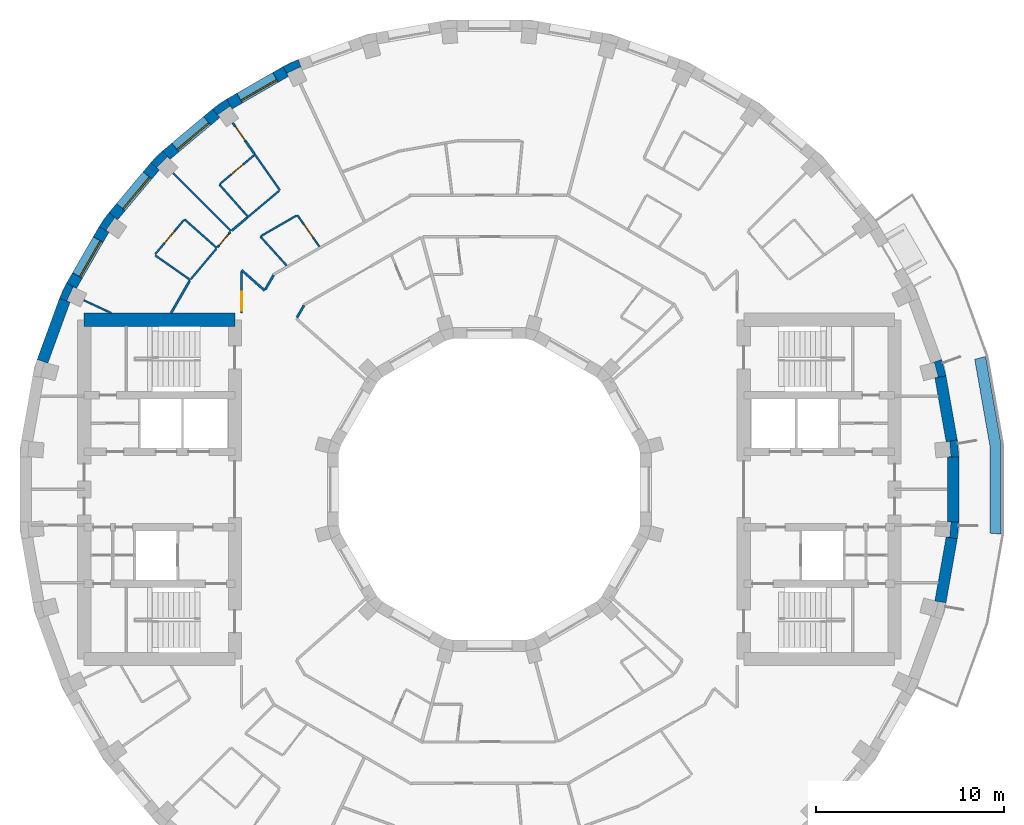
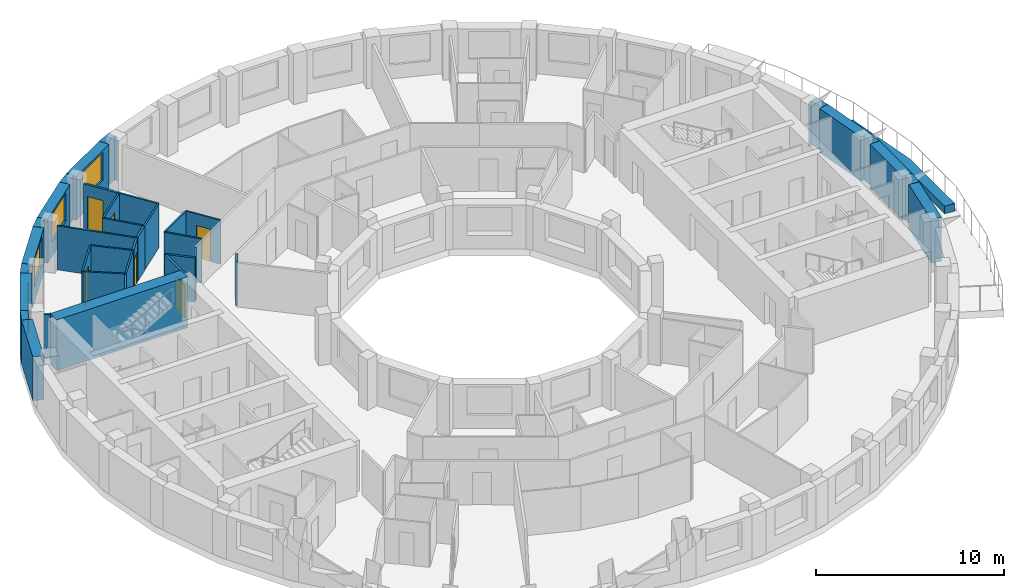
# One storey, part 7 of 11: 39 walls, 6 doors, 4 windows, 10 openings.
"""IFC4 building model written with IfcOpenShell, lengths in metres."""

from ifc_helpers import new_model, si_unit, direction, frame, frame_2d, origin, place, context, subcontext, project, spatial, polyline, rectangle, outline, extrude, material, layer, layer_set, type_object, element, fill, save


model = new_model("IFC4")

# Units and contexts
model_context = context("Model", 3, precision=1e-05, world=origin(), true_north=direction((0.0, 1.0)))
body_context = subcontext(model_context, "Body", "Model", "MODEL_VIEW")
ifc_project = project(units=[si_unit("LENGTHUNIT", "METRE"), si_unit("AREAUNIT", "SQUARE_METRE"), si_unit("VOLUMEUNIT", "CUBIC_METRE"), si_unit("PLANEANGLEUNIT", "RADIAN"), si_unit("MASSUNIT", "GRAM", prefix="KILO")], contexts=[model_context])

# Site, building, storey
site_placement = place(None, origin())
site = spatial("IfcSite", under=ifc_project, at=site_placement, CompositionType="ELEMENT")
building_placement = place(site_placement, origin())
building = spatial("IfcBuilding", under=site, at=building_placement, Name="Saqina Gate Tower", CompositionType="ELEMENT")
storey_placement = place(building_placement, frame((0.0, 0.0, 183.89990234375)))
storey = spatial("IfcBuildingStorey", under=building, at=storey_placement, Name="L52", CompositionType="ELEMENT", Elevation=183.89990234375)

# Walls
ifc_material_1 = material(Name="Brick masonry (buff)", Category="masonry")
wall_type_1 = type_object("IfcWallType", Name="BRICK PIER COPING BUFF", PredefinedType="SOLIDWALL", material=ifc_material_1)
wall_1_placement = place(storey_placement, origin())
element("IfcWall", 1, at=wall_1_placement, inside=storey, type_object=wall_type_1, Name="Pier cap L52 column 1", PredefinedType="SOLIDWALL", context=body_context, shape_type="SweptSolid", body=[
    extrude(outline(polyline([(24.90478515625, 1.724853515625), (24.825927734375, 2.6259765625), (24.235107421875, 2.521728515625), (24.421630859375, 2.5380859375), (24.491455078125, 1.7412109375), (24.304931640625, 1.724853515625), (24.90478515625, 1.724853515625)])), origin(), (0.0, 0.0, 1.0), 2.85009765625),
])
wall_2_placement = place(storey_placement, origin())
element("IfcWall", 2, at=wall_2_placement, inside=storey, type_object=wall_type_1, Name="Pier cap L52 column 2", PredefinedType="SOLIDWALL", context=body_context, shape_type="SweptSolid", body=[
    extrude(outline(polyline([(24.22705078125, 6.0234375), (23.992919921875, 6.897216796875), (23.428955078125, 6.69189453125), (23.610107421875, 6.740478515625), (23.81689453125, 5.967529296875), (23.635986328125, 5.919189453125), (24.22705078125, 6.0234375)])), origin(), (0.0, 0.0, 1.0), 2.85009765625),
])
wall_3_placement = place(storey_placement, origin())
element("IfcWall", 3, at=wall_3_placement, inside=storey, type_object=wall_type_1, Name="Pier cap L52 column 12", PredefinedType="SOLIDWALL", context=body_context, shape_type="SweptSolid", body=[
    extrude(outline(polyline([(-10.958740234375, 22.4306640625), (-10.65869140625, 21.9111328125), (-10.73779296875, 22.080810546875), (-10.0126953125, 22.4189453125), (-9.93359375, 22.249267578125), (-10.138916015625, 22.81298828125), (-10.958740234375, 22.4306640625)])), origin(), (0.0, 0.0, 1.0), 2.85009765625),
])
wall_4_placement = place(storey_placement, origin())
element("IfcWall", 4, at=wall_4_placement, inside=storey, type_object=wall_type_1, Name="Pier cap L52 column 13", PredefinedType="SOLIDWALL", context=body_context, shape_type="SweptSolid", body=[
    extrude(outline(polyline([(-13.9462890625, 20.705810546875), (-14.687255859375, 20.18701171875), (-14.301513671875, 19.727294921875), (-14.408935546875, 19.880859375), (-13.753662109375, 20.339599609375), (-13.646240234375, 20.186279296875), (-13.9462890625, 20.705810546875)])), origin(), (0.0, 0.0, 1.0), 2.85009765625),
])
wall_5_placement = place(storey_placement, origin())
element("IfcWall", 5, at=wall_5_placement, inside=storey, type_object=wall_type_1, Name="Pier cap L52 column 14", PredefinedType="SOLIDWALL", context=body_context, shape_type="SweptSolid", body=[
    extrude(outline(polyline([(-17.969482421875, 17.329833984375), (-17.510009765625, 16.944091796875), (-17.642333984375, 17.07666015625), (-17.07666015625, 17.642333984375), (-16.944091796875, 17.510009765625), (-17.329833984375, 17.969482421875), (-17.969482421875, 17.329833984375)])), origin(), (0.0, 0.0, 1.0), 2.85009765625),
])
wall_6_placement = place(storey_placement, origin())
element("IfcWall", 6, at=wall_6_placement, inside=storey, type_object=wall_type_1, Name="Pier cap L52 column 15", PredefinedType="SOLIDWALL", context=body_context, shape_type="SweptSolid", body=[
    extrude(outline(polyline([(-20.18701171875, 14.687255859375), (-20.705810546875, 13.9462890625), (-20.186279296875, 13.646240234375), (-20.339599609375, 13.753662109375), (-19.880859375, 14.408935546875), (-19.727294921875, 14.301513671875), (-20.18701171875, 14.687255859375)])), origin(), (0.0, 0.0, 1.0), 2.85009765625),
])
wall_7_placement = place(storey_placement, origin())
element("IfcWall", 7, at=wall_7_placement, inside=storey, type_object=wall_type_1, Name="Pier cap L52 column 16", PredefinedType="SOLIDWALL", context=body_context, shape_type="SweptSolid", body=[
    extrude(outline(polyline([(-22.81298828125, 10.138916015625), (-22.249267578125, 9.93359375), (-22.4189453125, 10.0126953125), (-22.080810546875, 10.73779296875), (-21.9111328125, 10.65869140625), (-22.4306640625, 10.958740234375), (-22.81298828125, 10.138916015625)])), origin(), (0.0, 0.0, 1.0), 2.85009765625),
])
wall_8_placement = place(storey_placement, origin())
element("IfcWall", 8, at=wall_8_placement, inside=storey, type_object=wall_type_1, Name="Pier cap L52 column 36", PredefinedType="SOLIDWALL", context=body_context, shape_type="SweptSolid", body=[
    extrude(outline(polyline([(24.825927734375, -2.6259765625), (24.90478515625, -1.724853515625), (24.304931640625, -1.724853515625), (24.491455078125, -1.7412109375), (24.421630859375, -2.5380859375), (24.235107421875, -2.521728515625), (24.825927734375, -2.6259765625)])), origin(), (0.0, 0.0, 1.0), 2.85009765625),
])

# Wall, opening, window
ifc_material_2 = material(Name="Brick masonry (buff)", Category="masonry")
ifc_layer_1 = layer(ifc_material_2, 0.60009765625)
ifc_layer_set_1 = layer_set([ifc_layer_1], Name="FW-BRICK-BUFF")
wall_type_2 = type_object("IfcWallType", Name="FW-BRICK-BUFF", PredefinedType="SOLIDWALL", material=ifc_layer_set_1)
wall_9_placement = place(storey_placement, frame((-10.80859375, 22.1708984375, 0.0), z_axis=(0.0, 0.0, 1.0), x_axis=(-0.86602648383, -0.499998129301, 0.0)))
wall_9 = element("IfcWall", 9, at=wall_9_placement, inside=storey, type_object=wall_type_2, Name="Facade wall L52 facet 12", PredefinedType="SOLIDWALL", context=body_context, shape_type="SweptSolid", body=[
    extrude(rectangle(XDim=3.44970703125, YDim=0.60009765625, at=frame_2d((1.724853515625, 0.0))), origin(), (0.0, 0.0, 1.0), 2.85009765625),
])
opening_1_placement = place(wall_9_placement, frame((0.625, 0.0, 0.89990234375)))
opening_1 = element("IfcOpeningElement", 10, at=opening_1_placement, cuts=wall_9, Name="Opening G15-W09", PredefinedType="OPENING", context=body_context, shape_type="SweptSolid", body=[
    extrude(rectangle(XDim=2.199951171875, YDim=1.800048828125, at=frame_2d((1.10009765625, 0.89990234375))), frame((0.0, 0.31201171875, 0.0), z_axis=(0.0, -1.0, 0.0), x_axis=(1.0, 0.0, 0.0)), (0.0, 0.0, 1.0), 0.6240234375),
])
ifc_material_3 = material(Name="Aluminium glazing", Category="aluminium")
window_type = type_object("IfcWindowType", Name="WN-C", PartitioningType="SINGLE_PANEL", PredefinedType="WINDOW", material=ifc_material_3)
window_1_placement = place(opening_1_placement, origin())
window_1 = element("IfcWindow", 11, at=window_1_placement, inside=storey, type_object=window_type, Name="Window L52 facet 12", OverallHeight=1.800048828125, OverallWidth=2.199951171875, PartitioningType="SINGLE_PANEL", PredefinedType="WINDOW", context=body_context, shape_type="SweptSolid", body=[
    extrude(rectangle(XDim=2.199951171875, YDim=1.800048828125, at=frame_2d((1.10009765625, 0.89990234375))), frame((0.0, 0.179931640625, 0.0), z_axis=(0.0, -1.0, 0.0), x_axis=(1.0, 0.0, 0.0)), (0.0, 0.0, 1.0), 0.06005859375),
])
fill(opening_1, window_1)

wall_10_placement = place(storey_placement, frame((-14.494384765625, 19.95703125, 0.0), z_axis=(0.0, 0.0, 1.0), x_axis=(-0.766058884809, -0.642770398358, 0.0)))
wall_10 = element("IfcWall", 12, at=wall_10_placement, inside=storey, type_object=wall_type_2, Name="Facade wall L52 facet 13", PredefinedType="SOLIDWALL", context=body_context, shape_type="SweptSolid", body=[
    extrude(rectangle(XDim=3.449462890625, YDim=0.60009765625, at=frame_2d((1.724609375, 0.0))), origin(), (0.0, 0.0, 1.0), 2.85009765625),
])
opening_2_placement = place(wall_10_placement, frame((0.625, 0.0, 0.89990234375)))
opening_2 = element("IfcOpeningElement", 13, at=opening_2_placement, cuts=wall_10, Name="Opening G15-W10", PredefinedType="OPENING", context=body_context, shape_type="SweptSolid", body=[
    extrude(rectangle(XDim=2.199951171875, YDim=1.800048828125, at=frame_2d((1.10009765625, 0.89990234375))), frame((0.0, 0.31201171875, 0.0), z_axis=(0.0, -1.0, 0.0), x_axis=(1.0, 0.0, 0.0)), (0.0, 0.0, 1.0), 0.6240234375),
])
window_2_placement = place(opening_2_placement, origin())
window_2 = element("IfcWindow", 14, at=window_2_placement, inside=storey, type_object=window_type, Name="Window L52 facet 13", OverallHeight=1.800048828125, OverallWidth=2.199951171875, PartitioningType="SINGLE_PANEL", PredefinedType="WINDOW", context=body_context, shape_type="SweptSolid", body=[
    extrude(rectangle(XDim=2.199951171875, YDim=1.800048828125, at=frame_2d((1.10009765625, 0.89990234375))), frame((0.0, 0.179931640625, 0.0), z_axis=(0.0, -1.0, 0.0), x_axis=(1.0, 0.0, 0.0)), (0.0, 0.0, 1.0), 0.06005859375),
])
fill(opening_2, window_2)

wall_11_placement = place(storey_placement, frame((-17.73974609375, 17.136962890625, 0.0), z_axis=(0.0, 0.0, 1.0), x_axis=(-0.642770398358, -0.766058884809, 0.0)))
wall_11 = element("IfcWall", 15, at=wall_11_placement, inside=storey, type_object=wall_type_2, Name="Facade wall L52 facet 14", PredefinedType="SOLIDWALL", context=body_context, shape_type="SweptSolid", body=[
    extrude(rectangle(XDim=3.449462890625, YDim=0.60009765625, at=frame_2d((1.724609375, 0.0))), origin(), (0.0, 0.0, 1.0), 2.85009765625),
])
opening_3_placement = place(wall_11_placement, frame((0.625, 0.0, 0.89990234375)))
opening_3 = element("IfcOpeningElement", 16, at=opening_3_placement, cuts=wall_11, Name="Opening G15-W11", PredefinedType="OPENING", context=body_context, shape_type="SweptSolid", body=[
    extrude(rectangle(XDim=2.199951171875, YDim=1.800048828125, at=frame_2d((1.10009765625, 0.89990234375))), frame((0.0, 0.31201171875, 0.0), z_axis=(0.0, -1.0, 0.0), x_axis=(1.0, 0.0, 0.0)), (0.0, 0.0, 1.0), 0.6240234375),
])
window_3_placement = place(opening_3_placement, origin())
window_3 = element("IfcWindow", 17, at=window_3_placement, inside=storey, type_object=window_type, Name="Window L52 facet 14", OverallHeight=1.800048828125, OverallWidth=2.199951171875, PartitioningType="SINGLE_PANEL", PredefinedType="WINDOW", context=body_context, shape_type="SweptSolid", body=[
    extrude(rectangle(XDim=2.199951171875, YDim=1.800048828125, at=frame_2d((1.10009765625, 0.89990234375))), frame((0.0, 0.179931640625, 0.0), z_axis=(0.0, -1.0, 0.0), x_axis=(1.0, 0.0, 0.0)), (0.0, 0.0, 1.0), 0.06005859375),
])
fill(opening_3, window_3)

wall_12_placement = place(storey_placement, frame((-20.446044921875, 13.796142578125, 0.0), z_axis=(0.0, 0.0, 1.0), x_axis=(-0.499998129301, -0.86602648383, 0.0)))
wall_12 = element("IfcWall", 18, at=wall_12_placement, inside=storey, type_object=wall_type_2, Name="Facade wall L52 facet 15", PredefinedType="SOLIDWALL", context=body_context, shape_type="SweptSolid", body=[
    extrude(rectangle(XDim=3.44970703125, YDim=0.60009765625, at=frame_2d((1.724853515625, 0.0))), origin(), (0.0, 0.0, 1.0), 2.85009765625),
])
opening_4_placement = place(wall_12_placement, frame((0.625, 0.0, 0.89990234375)))
opening_4 = element("IfcOpeningElement", 19, at=opening_4_placement, cuts=wall_12, Name="Opening G15-W12", PredefinedType="OPENING", context=body_context, shape_type="SweptSolid", body=[
    extrude(rectangle(XDim=2.199951171875, YDim=1.800048828125, at=frame_2d((1.10009765625, 0.89990234375))), frame((0.0, 0.31201171875, 0.0), z_axis=(0.0, -1.0, 0.0), x_axis=(1.0, 0.0, 0.0)), (0.0, 0.0, 1.0), 0.6240234375),
])
window_4_placement = place(opening_4_placement, origin())
window_4 = element("IfcWindow", 20, at=window_4_placement, inside=storey, type_object=window_type, Name="Window L52 facet 15", OverallHeight=1.800048828125, OverallWidth=2.199951171875, PartitioningType="SINGLE_PANEL", PredefinedType="WINDOW", context=body_context, shape_type="SweptSolid", body=[
    extrude(rectangle(XDim=2.199951171875, YDim=1.800048828125, at=frame_2d((1.10009765625, 0.89990234375))), frame((0.0, 0.179931640625, 0.0), z_axis=(0.0, -1.0, 0.0), x_axis=(1.0, 0.0, 0.0)), (0.0, 0.0, 1.0), 0.06005859375),
])
fill(opening_4, window_4)

# Walls
ifc_material_4 = material(Name="Glazed ceramic tile", Category="ceramic")
ifc_layer_2 = layer(ifc_material_4, 0.60009765625)
ifc_layer_set_2 = layer_set([ifc_layer_2], Name="FW-TILE")
wall_type_3 = type_object("IfcWallType", Name="FW-TILE", PredefinedType="SOLIDWALL", material=ifc_layer_set_2)
for number, where, z_axis, x_axis, name in (
    (21, (24.530517578125, 2.573974609375, 0.0), (0.0, 0.0, 1.0), (-0.173607684551, 0.984814892183, 0.0), "Facade wall L52 facet 1"),
    (22, (23.931640625, -5.97119140625, 0.0), (0.0, 0.0, 1.0), (0.173607684551, 0.984814892183, 0.0), "Facade wall L52 facet 35"),
):
    element("IfcWall", number, at=place(storey_placement, frame(where, z_axis=z_axis, x_axis=x_axis)), inside=storey, type_object=wall_type_3, Name=name, PredefinedType="SOLIDWALL", context=body_context, shape_type="SweptSolid", body=[
        extrude(rectangle(XDim=3.44970703125, YDim=0.60009765625, at=frame_2d((1.724853515625, 0.0))), origin(), (0.0, 0.0, 1.0), 2.85009765625),
    ])
ifc_material_5 = material(Name="Glazed ceramic tile (white)", Category="ceramic")
ifc_layer_3 = layer(ifc_material_5, 0.60009765625)
ifc_layer_set_3 = layer_set([ifc_layer_3], Name="FW-TILE-WH")
wall_type_4 = type_object("IfcWallType", Name="FW-TILE-WH", PredefinedType="SOLIDWALL", material=ifc_layer_set_3)
for number, where, z_axis, x_axis, name in (
    (23, (-22.531005859375, 10.0361328125, 0.0), (0.0, 0.0, 1.0), (-0.342032843455, -0.93968799822, 0.0), "Facade wall L52 facet 16"),
    (24, (24.60498046875, -1.724853515625, 0.0), (0.0, 0.0, 1.0), (0.0, 1.0, 0.0), "Facade wall L52 facet 36"),
):
    element("IfcWall", number, at=place(storey_placement, frame(where, z_axis=z_axis, x_axis=x_axis)), inside=storey, type_object=wall_type_4, Name=name, PredefinedType="SOLIDWALL", context=body_context, shape_type="SweptSolid", body=[
        extrude(rectangle(XDim=3.44970703125, YDim=0.60009765625, at=frame_2d((1.724853515625, 0.0))), origin(), (0.0, 0.0, 1.0), 2.85009765625),
    ])
ifc_material_6 = material(Name="Gypsum board on steel studs, 100 mm", Category="steel")
ifc_layer_4 = layer(ifc_material_6, 0.10009765625)
ifc_layer_set_4 = layer_set([ifc_layer_4], Name="PARTITION 100")
wall_type_5 = type_object("IfcWallType", Name="PARTITION 100", PredefinedType="PARTITIONING", material=ifc_layer_set_4)
wall_13_placement = place(storey_placement, frame((-12.4677734375, 17.805908203125, 0.0), z_axis=(0.0, 0.0, 1.0), x_axis=(0.573594339991, -0.819139507734, 0.0)))
element("IfcWall", 25, at=wall_13_placement, inside=storey, type_object=wall_type_5, Name="PARTITION PW3-08", PredefinedType="PARTITIONING", context=body_context, shape_type="SweptSolid", body=[
    extrude(rectangle(XDim=2.3583984375, YDim=0.10009765625, at=frame_2d((1.17919921875, 0.0))), origin(), (0.0, 0.0, 1.0), 2.85009765625),
])

# Wall, opening, door
wall_14_placement = place(storey_placement, frame((-10.19091796875, 14.553955078125, 0.0), z_axis=(0.0, 0.0, 1.0), x_axis=(0.573534545192, -0.819181375198, 0.0)))
wall_14 = element("IfcWall", 26, at=wall_14_placement, inside=storey, type_object=wall_type_5, Name="PARTITION PW3-09", PredefinedType="PARTITIONING", context=body_context, shape_type="SweptSolid", body=[
    extrude(rectangle(XDim=2.04248046875, YDim=0.10009765625, at=frame_2d((1.021240234375, 0.0))), origin(), (0.0, 0.0, 1.0), 2.85009765625),
])
opening_5_placement = place(wall_14_placement, frame((0.654052734375, 0.0, 0.0)))
opening_5 = element("IfcOpeningElement", 27, at=opening_5_placement, cuts=wall_14, Name="Opening G15-D16", PredefinedType="OPENING", context=body_context, shape_type="SweptSolid", body=[
    extrude(rectangle(XDim=0.800048828125, YDim=2.10009765625, at=frame_2d((0.39990234375, 1.050048828125))), frame((0.0, 0.06201171875, 0.0), z_axis=(0.0, -1.0, 0.0), x_axis=(1.0, 0.0, 0.0)), (0.0, 0.0, 1.0), 0.1240234375),
])
ifc_material_7 = material(Name="Timber door leaf, 800 mm", Category="wood")
door_type_1 = type_object("IfcDoorType", Name="DOOR 800 TIMBER", OperationType="SINGLE_SWING_LEFT", PredefinedType="DOOR", material=ifc_material_7)
door_1_placement = place(opening_5_placement, origin())
door_1 = element("IfcDoor", 28, at=door_1_placement, inside=storey, type_object=door_type_1, Name="DOOR G15-D16", OperationType="SINGLE_SWING_RIGHT", OverallHeight=2.10009765625, OverallWidth=0.800048828125, PredefinedType="DOOR", context=body_context, shape_type="SweptSolid", body=[
    extrude(rectangle(XDim=0.800048828125, YDim=2.10009765625, at=frame_2d((0.39990234375, 1.050048828125))), frame((0.0, 0.02490234375, 0.0), z_axis=(0.0, -1.0, 0.0), x_axis=(1.0, 0.0, 0.0)), (0.0, 0.0, 1.0), 0.050048828125),
])
fill(opening_5, door_1)

# Walls
wall_15_placement = place(storey_placement, frame((-14.3291015625, 16.178955078125, 0.0), z_axis=(0.0, 0.0, 1.0), x_axis=(0.663042232896, -0.748581991098, 0.0)))
element("IfcWall", 29, at=wall_15_placement, inside=storey, type_object=wall_type_5, Name="PARTITION PW3-14", PredefinedType="PARTITIONING", context=body_context, shape_type="SweptSolid", body=[
    extrude(rectangle(XDim=2.237548828125, YDim=0.10009765625, at=frame_2d((1.11865234375, 0.0))), origin(), (0.0, 0.0, 1.0), 2.85009765625),
])
wall_16_placement = place(storey_placement, frame((-12.154296875, 13.420654296875, 0.0), z_axis=(0.0, 0.0, 1.0), x_axis=(0.670986897281, -0.741469206156, 0.0)))
element("IfcWall", 30, at=wall_16_placement, inside=storey, type_object=wall_type_5, Name="PARTITION PW3-15", PredefinedType="PARTITIONING", context=body_context, shape_type="SweptSolid", body=[
    extrude(rectangle(XDim=2.085205078125, YDim=0.10009765625, at=frame_2d((1.04248046875, 0.0))), origin(), (0.0, 0.0, 1.0), 2.85009765625),
])
wall_17_placement = place(storey_placement, frame((-16.78662109375, 16.78662109375, 0.0), z_axis=(0.0, 0.0, 1.0), x_axis=(0.707106781187, -0.707106781187, 0.0)))
element("IfcWall", 31, at=wall_17_placement, inside=storey, type_object=wall_type_5, Name="PARTITION PW3-16", PredefinedType="PARTITIONING", context=body_context, shape_type="SweptSolid", body=[
    extrude(rectangle(XDim=4.361083984375, YDim=0.10009765625, at=frame_2d((2.1806640625, 0.0))), origin(), (0.0, 0.0, 1.0), 2.85009765625),
])
wall_18_placement = place(storey_placement, frame((-16.178955078125, 14.3291015625, 0.0), z_axis=(0.0, 0.0, 1.0), x_axis=(0.74859119091, -0.663031846061, 0.0)))
element("IfcWall", 32, at=wall_18_placement, inside=storey, type_object=wall_type_5, Name="PARTITION PW3-18", PredefinedType="PARTITIONING", context=body_context, shape_type="SweptSolid", body=[
    extrude(rectangle(XDim=2.2998046875, YDim=0.10009765625, at=frame_2d((1.14990234375, 0.0))), origin(), (0.0, 0.0, 1.0), 2.85009765625),
])
wall_19_placement = place(storey_placement, frame((-17.721923828125, 12.408935546875, 0.0), z_axis=(0.0, 0.0, 1.0), x_axis=(0.819165747117, -0.573556866187, 0.0)))
element("IfcWall", 33, at=wall_19_placement, inside=storey, type_object=wall_type_5, Name="PARTITION PW3-21", PredefinedType="PARTITIONING", context=body_context, shape_type="SweptSolid", body=[
    extrude(rectangle(XDim=2.25341796875, YDim=0.10009765625, at=frame_2d((1.126708984375, 0.0))), origin(), (0.0, 0.0, 1.0), 2.85009765625),
])
wall_20_placement = place(storey_placement, frame((-21.515625, 10.033203125, 0.0), z_axis=(0.0, 0.0, 1.0), x_axis=(0.906055596822, -0.423158664648, 0.0)))
element("IfcWall", 34, at=wall_20_placement, inside=storey, type_object=wall_type_5, Name="PARTITION PW3-28", PredefinedType="PARTITIONING", context=body_context, shape_type="SweptSolid", body=[
    extrude(rectangle(XDim=1.6142578125, YDim=0.10009765625, at=frame_2d((0.80712890625, 0.0))), origin(), (0.0, 0.0, 1.0), 2.85009765625),
])
wall_21_placement = place(storey_placement, frame((-12.109619140625, 13.446044921875, 0.0), z_axis=(0.0, 0.0, 1.0), x_axis=(0.865956302405, 0.500119668004, 0.0)))
element("IfcWall", 35, at=wall_21_placement, inside=storey, type_object=wall_type_5, Name="PARTITION PW3-42", PredefinedType="PARTITIONING", context=body_context, shape_type="SweptSolid", body=[
    extrude(rectangle(XDim=2.16357421875, YDim=0.10009765625, at=frame_2d((1.081787109375, 0.0))), origin(), (0.0, 0.0, 1.0), 2.85009765625),
])
wall_22_placement = place(storey_placement, frame((-12.84228515625, 14.4248046875, 0.0), z_axis=(0.0, 0.0, 1.0), x_axis=(0.766089344118, 0.642734094964, 0.0)))
element("IfcWall", 36, at=wall_22_placement, inside=storey, type_object=wall_type_5, Name="PARTITION PW3-45", PredefinedType="PARTITIONING", context=body_context, shape_type="SweptSolid", body=[
    extrude(rectangle(XDim=2.200927734375, YDim=0.10009765625, at=frame_2d((1.1005859375, 0.0))), origin(), (0.0, 0.0, 1.0), 2.85009765625),
])

# Wall, opening, door
wall_23_placement = place(storey_placement, frame((-14.290771484375, 16.211181640625, 0.0), z_axis=(0.0, 0.0, 1.0), x_axis=(0.766049914327, 0.642781089299, 0.0)))
wall_23 = element("IfcWall", 37, at=wall_23_placement, inside=storey, type_object=wall_type_5, Name="PARTITION PW3-46", PredefinedType="PARTITIONING", context=body_context, shape_type="SweptSolid", body=[
    extrude(rectangle(XDim=2.35498046875, YDim=0.10009765625, at=frame_2d((1.177490234375, 0.0))), origin(), (0.0, 0.0, 1.0), 2.85009765625),
])
opening_6_placement = place(wall_23_placement, frame((0.78369140625, 0.0, 0.0)))
opening_6 = element("IfcOpeningElement", 38, at=opening_6_placement, cuts=wall_23, Name="Opening G15-D18", PredefinedType="OPENING", context=body_context, shape_type="SweptSolid", body=[
    extrude(rectangle(XDim=0.800048828125, YDim=2.10009765625, at=frame_2d((0.39990234375, 1.050048828125))), frame((0.0, 0.06201171875, 0.0), z_axis=(0.0, -1.0, 0.0), x_axis=(1.0, 0.0, 0.0)), (0.0, 0.0, 1.0), 0.1240234375),
])
door_2_placement = place(opening_6_placement, origin())
door_2 = element("IfcDoor", 39, at=door_2_placement, inside=storey, type_object=door_type_1, Name="DOOR G15-D18", OperationType="SINGLE_SWING_RIGHT", OverallHeight=2.10009765625, OverallWidth=0.800048828125, PredefinedType="DOOR", context=body_context, shape_type="SweptSolid", body=[
    extrude(rectangle(XDim=0.800048828125, YDim=2.10009765625, at=frame_2d((0.39990234375, 1.050048828125))), frame((0.0, 0.02490234375, 0.0), z_axis=(0.0, -1.0, 0.0), x_axis=(1.0, 0.0, 0.0)), (0.0, 0.0, 1.0), 0.050048828125),
])
fill(opening_6, door_2)

# Wall
wall_24_placement = place(storey_placement, frame((-15.841796875, 11.1533203125, 0.0), z_axis=(0.0, 0.0, 1.0), x_axis=(0.642759429892, 0.766068087891, 0.0)))
element("IfcWall", 40, at=wall_24_placement, inside=storey, type_object=wall_type_5, Name="PARTITION PW3-51", PredefinedType="PARTITIONING", context=body_context, shape_type="SweptSolid", body=[
    extrude(rectangle(XDim=2.104736328125, YDim=0.10009765625, at=frame_2d((1.05224609375, 0.0))), origin(), (0.0, 0.0, 1.0), 2.85009765625),
])

# Wall, opening, door
wall_25_placement = place(storey_placement, frame((-17.73291015625, 12.477294921875, 0.0), z_axis=(0.0, 0.0, 1.0), x_axis=(0.64278038415, 0.766050506006, 0.0)))
wall_25 = element("IfcWall", 41, at=wall_25_placement, inside=storey, type_object=wall_type_5, Name="PARTITION PW3-52", PredefinedType="PARTITIONING", context=body_context, shape_type="SweptSolid", body=[
    extrude(rectangle(XDim=2.36474609375, YDim=0.10009765625, at=frame_2d((1.182373046875, 0.0))), origin(), (0.0, 0.0, 1.0), 2.85009765625),
])
opening_7_placement = place(wall_25_placement, frame((0.782958984375, 0.0, 0.0)))
opening_7 = element("IfcOpeningElement", 42, at=opening_7_placement, cuts=wall_25, Name="Opening G15-D20", PredefinedType="OPENING", context=body_context, shape_type="SweptSolid", body=[
    extrude(rectangle(XDim=0.800048828125, YDim=2.10009765625, at=frame_2d((0.39990234375, 1.050048828125))), frame((0.0, 0.06201171875, 0.0), z_axis=(0.0, -1.0, 0.0), x_axis=(1.0, 0.0, 0.0)), (0.0, 0.0, 1.0), 0.1240234375),
])
door_3_placement = place(opening_7_placement, origin())
door_3 = element("IfcDoor", 43, at=door_3_placement, inside=storey, type_object=door_type_1, Name="DOOR G15-D20", OperationType="SINGLE_SWING_RIGHT", OverallHeight=2.10009765625, OverallWidth=0.800048828125, PredefinedType="DOOR", context=body_context, shape_type="SweptSolid", body=[
    extrude(rectangle(XDim=0.800048828125, YDim=2.10009765625, at=frame_2d((0.39990234375, 1.050048828125))), frame((0.0, 0.02490234375, 0.0), z_axis=(0.0, -1.0, 0.0), x_axis=(1.0, 0.0, 0.0)), (0.0, 0.0, 1.0), 0.050048828125),
])
fill(opening_7, door_3)

ifc_material_8 = material(Name="Gypsum board on steel studs, 125 mm, fire rated", Category="steel")
ifc_layer_5 = layer(ifc_material_8, 0.125)
ifc_layer_set_5 = layer_set([ifc_layer_5], Name="PARTITION EI 30 125")
wall_type_6 = type_object("IfcWallType", Name="PARTITION EI 30 125", PredefinedType="PARTITIONING", material=ifc_layer_set_5)
wall_26_placement = place(storey_placement, frame((-13.616943359375, 19.446533203125, 0.0), z_axis=(0.0, 0.0, 1.0), x_axis=(0.573568678046, -0.819157476658, 0.0)))
wall_26 = element("IfcWall", 44, at=wall_26_placement, inside=storey, type_object=wall_type_6, Name="PARTITION PW1-06", PredefinedType="PARTITIONING", context=body_context, shape_type="SweptSolid", body=[
    extrude(rectangle(XDim=2.003173828125, YDim=0.125, at=frame_2d((1.00146484375, 0.0))), origin(), (0.0, 0.0, 1.0), 2.85009765625),
])
opening_8_placement = place(wall_26_placement, frame((0.247802734375, 0.0, 0.0)))
opening_8 = element("IfcOpeningElement", 45, at=opening_8_placement, cuts=wall_26, Name="Opening G15-D17", PredefinedType="OPENING", context=body_context, shape_type="SweptSolid", body=[
    extrude(rectangle(XDim=0.89990234375, YDim=2.10009765625, at=frame_2d((0.449951171875, 1.050048828125))), frame((0.0, 0.074462890625, 0.0), z_axis=(0.0, -1.0, 0.0), x_axis=(1.0, 0.0, 0.0)), (0.0, 0.0, 1.0), 0.14892578125),
])
ifc_material_9 = material(Name="Fire door leaf EI 30, 900 mm")
door_type_2 = type_object("IfcDoorType", Name="DOOR 900 EI 30", OperationType="SINGLE_SWING_LEFT", PredefinedType="DOOR", material=ifc_material_9)
door_4_placement = place(opening_8_placement, origin())
door_4 = element("IfcDoor", 46, at=door_4_placement, inside=storey, type_object=door_type_2, Name="DOOR G15-D17", OperationType="SINGLE_SWING_LEFT", OverallHeight=2.10009765625, OverallWidth=0.89990234375, PredefinedType="DOOR", context=body_context, shape_type="SweptSolid", body=[
    extrude(rectangle(XDim=0.89990234375, YDim=2.10009765625, at=frame_2d((0.449951171875, 1.050048828125))), frame((0.0, 0.02490234375, 0.0), z_axis=(0.0, -1.0, 0.0), x_axis=(1.0, 0.0, 0.0)), (0.0, 0.0, 1.0), 0.050048828125),
])
fill(opening_8, door_4)

# Walls
wall_27_placement = place(storey_placement, frame((-13.14697265625, 11.63134765625, 0.0), z_axis=(0.0, 0.0, 1.0), x_axis=(0.748973743587, -0.66259967659, 0.0)))
element("IfcWall", 47, at=wall_27_placement, inside=storey, type_object=wall_type_6, Name="PARTITION PW1-09", PredefinedType="PARTITIONING", context=body_context, shape_type="SweptSolid", body=[
    extrude(rectangle(XDim=1.6337890625, YDim=0.125, at=frame_2d((0.81689453125, 0.0))), origin(), (0.0, 0.0, 1.0), 2.85009765625),
])
wall_28_placement = place(storey_placement, frame((-13.66259765625, 13.73681640625, 0.0), z_axis=(0.0, 0.0, 1.0), x_axis=(0.766198786717, 0.642603625288, 0.0)))
element("IfcWall", 48, at=wall_28_placement, inside=storey, type_object=wall_type_6, Name="PARTITION PW1-29", PredefinedType="PARTITIONING", context=body_context, shape_type="SweptSolid", body=[
    extrude(rectangle(XDim=1.070556640625, YDim=0.125, at=frame_2d((0.53515625, 0.0))), origin(), (0.0, 0.0, 1.0), 2.85009765625),
])

# Wall, opening, door
wall_29_placement = place(storey_placement, frame((-14.424072265625, 12.843017578125, 0.0), z_axis=(0.0, 0.0, 1.0), x_axis=(0.642498544186, 0.766286904964, 0.0)))
wall_29 = element("IfcWall", 49, at=wall_29_placement, inside=storey, type_object=wall_type_6, Name="PARTITION PW1-36", PredefinedType="PARTITIONING", context=body_context, shape_type="SweptSolid", body=[
    extrude(rectangle(XDim=1.05712890625, YDim=0.125, at=frame_2d((0.528564453125, 0.0))), origin(), (0.0, 0.0, 1.0), 2.85009765625),
])
opening_9_placement = place(wall_29_placement, frame((0.134765625, 0.0, 0.0)))
opening_9 = element("IfcOpeningElement", 50, at=opening_9_placement, cuts=wall_29, Name="Opening G15-D19", PredefinedType="OPENING", context=body_context, shape_type="SweptSolid", body=[
    extrude(rectangle(XDim=0.800048828125, YDim=2.10009765625, at=frame_2d((0.39990234375, 1.050048828125))), frame((0.0, 0.074462890625, 0.0), z_axis=(0.0, -1.0, 0.0), x_axis=(1.0, 0.0, 0.0)), (0.0, 0.0, 1.0), 0.14892578125),
])
ifc_material_10 = material(Name="Fire door leaf EI 30, 800 mm")
door_type_3 = type_object("IfcDoorType", Name="DOOR 800 EI 30", OperationType="SINGLE_SWING_LEFT", PredefinedType="DOOR", material=ifc_material_10)
door_5_placement = place(opening_9_placement, frame((0.800048828125, 0.0, 0.0), z_axis=(0.0, 0.0, 1.0), x_axis=(-1.0, 0.0, 0.0)))
door_5 = element("IfcDoor", 51, at=door_5_placement, inside=storey, type_object=door_type_3, Name="DOOR G15-D19", OperationType="SINGLE_SWING_LEFT", OverallHeight=2.10009765625, OverallWidth=0.800048828125, PredefinedType="DOOR", context=body_context, shape_type="SweptSolid", body=[
    extrude(rectangle(XDim=0.800048828125, YDim=2.10009765625, at=frame_2d((0.39990234375, 1.050048828125))), frame((0.0, 0.02490234375, 0.0), z_axis=(0.0, -1.0, 0.0), x_axis=(1.0, 0.0, 0.0)), (0.0, 0.0, 1.0), 0.050048828125),
])
fill(opening_9, door_5)

# Walls
wall_30_placement = place(storey_placement, frame((-10.21044921875, 9.115234375, 0.0), z_axis=(0.0, 0.0, 1.0), x_axis=(0.500827895298, 0.86554689029, 0.0)))
element("IfcWall", 52, at=wall_30_placement, inside=storey, type_object=wall_type_6, Name="PARTITION PW1-40", PredefinedType="PARTITIONING", context=body_context, shape_type="SweptSolid", body=[
    extrude(rectangle(XDim=0.739013671875, YDim=0.125, at=frame_2d((0.36962890625, 0.0))), origin(), (0.0, 0.0, 1.0), 2.85009765625),
])
wall_31_placement = place(storey_placement, frame((-11.890625, 10.605224609375, 0.0), z_axis=(0.0, 0.0, 1.0), x_axis=(0.500203519255, 0.865907869998, 0.0)))
element("IfcWall", 53, at=wall_31_placement, inside=storey, type_object=wall_type_6, Name="PARTITION PW1-42", PredefinedType="PARTITIONING", context=body_context, shape_type="SweptSolid", body=[
    extrude(rectangle(XDim=0.878662109375, YDim=0.125, at=frame_2d((0.439453125, 0.0))), origin(), (0.0, 0.0, 1.0), 2.85009765625),
])
wall_32_placement = place(storey_placement, frame((-16.891845703125, 9.35205078125, 0.0), z_axis=(0.0, 0.0, 1.0), x_axis=(0.499683424426, 0.866208101644, 0.0)))
element("IfcWall", 54, at=wall_32_placement, inside=storey, type_object=wall_type_6, Name="PARTITION PW1-43", PredefinedType="PARTITIONING", context=body_context, shape_type="SweptSolid", body=[
    extrude(rectangle(XDim=1.985595703125, YDim=0.125, at=frame_2d((0.99267578125, 0.0))), origin(), (0.0, 0.0, 1.0), 2.85009765625),
])

# Wall, opening, door
wall_33_placement = place(storey_placement, frame((-13.14990234375, 9.35107421875, 0.0), z_axis=(0.0, 0.0, 1.0), x_axis=(0.0, 1.0, 0.0)))
wall_33 = element("IfcWall", 55, at=wall_33_placement, inside=storey, type_object=wall_type_6, Name="PARTITION PW1-48", PredefinedType="PARTITIONING", context=body_context, shape_type="SweptSolid", body=[
    extrude(rectangle(XDim=2.21630859375, YDim=0.125, at=frame_2d((1.108154296875, 0.0))), origin(), (0.0, 0.0, 1.0), 2.85009765625),
])
opening_10_placement = place(wall_33_placement, frame((0.139404296875, 0.0, 0.0)))
opening_10 = element("IfcOpeningElement", 56, at=opening_10_placement, cuts=wall_33, Name="Opening G15-D21", PredefinedType="OPENING", context=body_context, shape_type="SweptSolid", body=[
    extrude(rectangle(XDim=1.0, YDim=2.10009765625, at=frame_2d((0.5, 1.050048828125))), frame((0.0, 0.074462890625, 0.0), z_axis=(0.0, -1.0, 0.0), x_axis=(1.0, 0.0, 0.0)), (0.0, 0.0, 1.0), 0.14892578125),
])
ifc_material_11 = material(Name="Fire door leaf EI 30, 1000 mm")
door_type_4 = type_object("IfcDoorType", Name="DOOR 1000 EI 30", OperationType="SINGLE_SWING_LEFT", PredefinedType="DOOR", material=ifc_material_11)
door_6_placement = place(opening_10_placement, origin())
door_6 = element("IfcDoor", 57, at=door_6_placement, inside=storey, type_object=door_type_4, Name="DOOR G15-D21", OperationType="SINGLE_SWING_LEFT", OverallHeight=2.10009765625, OverallWidth=1.0, PredefinedType="DOOR", context=body_context, shape_type="SweptSolid", body=[
    extrude(rectangle(XDim=1.0, YDim=2.10009765625, at=frame_2d((0.5, 1.050048828125))), frame((0.0, 0.02490234375, 0.0), z_axis=(0.0, -1.0, 0.0), x_axis=(1.0, 0.0, 0.0)), (0.0, 0.0, 1.0), 0.050048828125),
])
fill(opening_10, door_6)

# Walls
ifc_material_12 = material(Name="Brick masonry (red)", Category="masonry")
ifc_layer_6 = layer(ifc_material_12, 0.60009765625)
ifc_layer_set_6 = layer_set([ifc_layer_6], Name="PL-PLANTER")
wall_type_7 = type_object("IfcWallType", Name="PL-PLANTER", PredefinedType="PARAPET", material=ifc_layer_set_6)
wall_34_placement = place(storey_placement, origin())
element("IfcWall", 58, at=wall_34_placement, inside=storey, type_object=wall_type_7, Name="Planter L52", PredefinedType="PARAPET", context=body_context, shape_type="SweptSolid", body=[
    extrude(outline(polyline([(27.15478515625, -2.375732421875), (27.15478515625, 2.375732421875), (26.329833984375, 7.054931640625), (25.748046875, 6.899169921875), (26.554931640625, 2.3232421875), (26.554931640625, -2.3232421875), (27.15478515625, -2.375732421875)])), origin(), (0.0, 0.0, 1.0), 0.5),
])
ifc_material_13 = material(Name="Concrete C60/75", Category="concrete")
ifc_layer_7 = layer(ifc_material_13, 0.699951171875)
ifc_layer_set_7 = layer_set([ifc_layer_7], Name="Concrete C60/75")
wall_type_8 = type_object("IfcWallType", Name="STR-CORE WALL-C-O", PredefinedType="SHEAR", material=ifc_layer_set_7)
wall_35_placement = place(storey_placement, frame((-13.5, 9.0, 0.0), z_axis=(0.0, 0.0, 1.0), x_axis=(-1.0, 0.0, 0.0)))
element("IfcWall", 59, at=wall_35_placement, inside=storey, type_object=wall_type_8, Name="CORE WALL L52 W-NE", PredefinedType="SHEAR", context=body_context, shape_type="SweptSolid", body=[
    extrude(rectangle(XDim=8.0, YDim=0.699951171875, at=frame_2d((4.0, 0.0))), origin(), (0.0, 0.0, 1.0), 3.300048828125),
])

save(model, "model.ifc")
